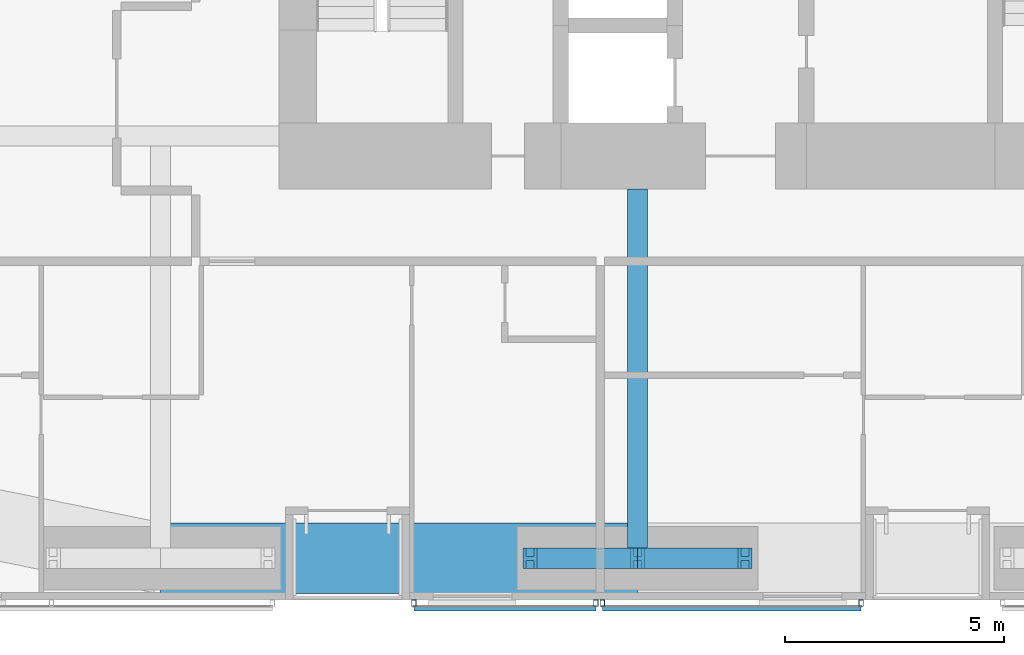
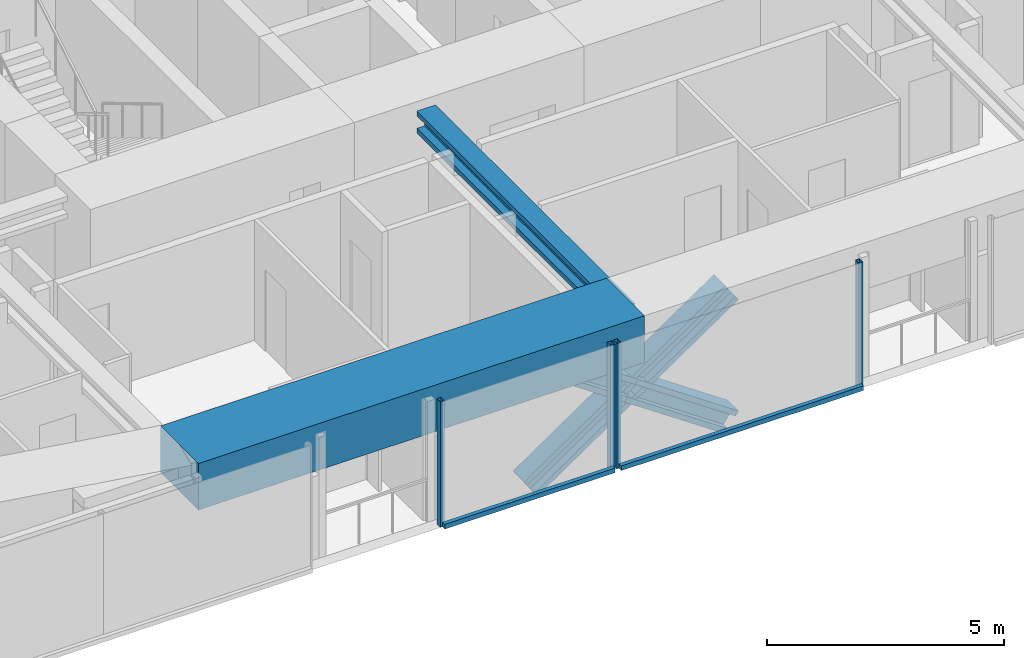
# One storey, part 4 of 24: 10 members, 2 beams, 2 elements without a shape of their own.
"""IFC4 building model written with IfcOpenShell, lengths in metres."""

from ifc_helpers import new_model, si_unit, direction, frame, origin, origin_2d, place, context, subcontext, project, spatial, rectangle, hollow_rectangle, i_section, extrude, material, material_profile, profile_set, type_object, element, aggregate, save


model = new_model("IFC4")

# Units and contexts
model_context = context("Model", 3, precision=1e-05, world=origin(), true_north=direction((0.0, 1.0)))
body_context = subcontext(model_context, "Body", "Model", "MODEL_VIEW")
ifc_project = project(units=[si_unit("LENGTHUNIT", "METRE"), si_unit("AREAUNIT", "SQUARE_METRE"), si_unit("VOLUMEUNIT", "CUBIC_METRE"), si_unit("PLANEANGLEUNIT", "RADIAN"), si_unit("MASSUNIT", "GRAM", prefix="KILO")], contexts=[model_context])

# Site, building, storey
site_placement = place(None, origin())
site = spatial("IfcSite", under=ifc_project, at=site_placement, CompositionType="ELEMENT")
building_placement = place(site_placement, origin())
building = spatial("IfcBuilding", under=site, at=building_placement, Name="Jalousie Tower", CompositionType="ELEMENT")
storey_placement = place(building_placement, frame((0.0, 0.0, 128.300048828125)))
storey = spatial("IfcBuildingStorey", under=building, at=storey_placement, Name="L35", CompositionType="ELEMENT", Elevation=128.300048828125)

# Beam
ifc_material_1 = material(Name="Steel ASTM A992 Grade 50", Category="steel")
ifc_material_profile_1 = material_profile(ifc_material_1, i_section(OverallWidth=0.45458984375, OverallDepth=0.569091796875, WebThickness=0.077880859375, FlangeThickness=0.124755859375, at=origin_2d()), Name="W14X730")
ifc_profile_set_1 = profile_set([ifc_material_profile_1], Name="Steel ASTM A992 Grade 50")
beam_type_1 = type_object("IfcBeamType", Name="LEAN COLLECTOR W14X730", PredefinedType="BEAM", material=ifc_profile_set_1)
beam_1_placement = place(storey_placement, frame((27.75, 0.949951171875, 2.825439453125), z_axis=(0.0, 1.0, 0.0), x_axis=(-1.0, 0.0, 0.0)))
element("IfcBeam", 1, at=beam_1_placement, inside=storey, type_object=beam_type_1, Name="Lean collector under L36", PredefinedType="BEAM", context=body_context, shape_type="SweptSolid", body=[
    extrude(i_section(OverallWidth=0.45458984375, OverallDepth=0.569091796875, WebThickness=0.077880859375, FlangeThickness=0.124755859375, at=origin_2d()), origin(), (0.0, 0.0, 1.0), 8.425048828125),
])

# Members
ifc_material_2 = material(Name="Steel ASTM A992 Grade 50", Category="steel")
ifc_material_profile_2 = material_profile(ifc_material_2, i_section(OverallWidth=0.472412109375, OverallDepth=0.5791015625, WebThickness=0.094970703125, FlangeThickness=0.1298828125, at=origin_2d()), Name="W14X808")
ifc_profile_set_2 = profile_set([ifc_material_profile_2], Name="Steel ASTM A992 Grade 50")
member_type_1 = type_object("IfcMemberType", Name="PERIMETER BRACE W14X808", PredefinedType="BRACE", material=ifc_profile_set_2)
for number, where, z_axis, x_axis, name in (
    (2, (25.300048828125, 0.949951171875, -0.60009765625), (0.825500916831, 0.0, 0.564400776321), (0.0, 1.0, 0.0), "Perimeter brace 03 L35 part 1"),
    (3, (27.75, 0.949951171875, 1.074951171875), (0.825500916831, 0.0, 0.564400776321), (0.0, 1.0, 0.0), "Perimeter brace 03 L35 part 2"),
    (4, (30.199951171875, 0.949951171875, -0.60009765625), (-0.825500916831, 0.0, 0.564400776321), (0.0, -1.0, 0.0), "Perimeter brace 03 L35 part 3"),
    (5, (27.75, 0.949951171875, 1.074951171875), (-0.825500916831, 0.0, 0.564400776321), (0.0, -1.0, 0.0), "Perimeter brace 03 L35 part 4"),
):
    element("IfcMember", number, at=place(storey_placement, frame(where, z_axis=z_axis, x_axis=x_axis)), inside=storey, type_object=member_type_1, Name=name, PredefinedType="BRACE", context=body_context, shape_type="SweptSolid", body=[
        extrude(i_section(OverallWidth=0.472412109375, OverallDepth=0.5791015625, WebThickness=0.094970703125, FlangeThickness=0.1298828125, at=origin_2d()), origin(), (0.0, 0.0, 1.0), 2.9677734375),
    ])

# Beam
ifc_material_3 = material(Name="Concrete f'c 40 MPa", Category="concrete")
ifc_material_profile_3 = material_profile(ifc_material_3, rectangle(XDim=1.60009765625, YDim=1.199951171875, at=origin_2d()), Name="RC 1600x1200")
ifc_profile_set_3 = profile_set([ifc_material_profile_3], Name="Concrete f'c 40 MPa")
beam_type_2 = type_object("IfcBeamType", Name="RC BEAM 1600x1200", PredefinedType="BEAM", material=ifc_profile_set_3)
beam_2_placement = place(storey_placement, frame((16.875, 0.949951171875, 2.75), z_axis=(1.0, 0.0, 0.0), x_axis=(0.0, 1.0, 0.0)))
element("IfcBeam", 6, at=beam_2_placement, inside=storey, type_object=beam_type_2, Name="Edge band beam 02-03 under L36", PredefinedType="BEAM", context=body_context, shape_type="SweptSolid", body=[
    extrude(rectangle(XDim=1.60009765625, YDim=1.199951171875, at=origin_2d()), origin(), (0.0, 0.0, 1.0), 10.875),
])

# Curtain wall, members
ifc_material_4 = material(Name="Perforated aluminium sheet", Category="aluminium")
curtain_wall_type = type_object("IfcCurtainWallType", Name="SOLAR SCREEN SS-1", PredefinedType="USERDEFINED", material=ifc_material_4)
curtain_wall_1_placement = place(storey_placement, origin())
curtain_wall_1 = element("IfcCurtainWall", 7, at=curtain_wall_1_placement, inside=storey, type_object=curtain_wall_type, Name="Solar screen L35", ObjectType="SOLAR SCREEN SS-1", PredefinedType="USERDEFINED")
ifc_material_5 = material(Name="Steel ASTM A500 Grade C", Category="steel")
ifc_material_profile_4 = material_profile(ifc_material_5, hollow_rectangle(XDim=0.1015625, YDim=0.15234375, WallThickness=0.00634765625, at=origin_2d()), Name="HSS6X4X1/4")
ifc_profile_set_4 = profile_set([ifc_material_profile_4], Name="Steel ASTM A500 Grade C")
member_type_2 = type_object("IfcMemberType", Name="SOLAR SCREEN SS-1 MULLION", PredefinedType="MULLION", material=ifc_profile_set_4)
member_1_placement = place(storey_placement, frame((22.64990234375, -0.0712890625, -0.1201171875), z_axis=(0.0, 0.0, 1.0), x_axis=(1.0, 0.0, 0.0)))
member_1 = element("IfcMember", 8, at=member_1_placement, type_object=member_type_2, Name="SS1 post 1", PredefinedType="MULLION", context=body_context, shape_type="SweptSolid", body=[
    extrude(hollow_rectangle(XDim=0.1015625, YDim=0.15234375, WallThickness=0.00634765625, at=origin_2d()), origin(), (0.0, 0.0, 1.0), 3.22998046875),
])
member_2_placement = place(storey_placement, frame((26.800048828125, -0.0712890625, -0.1201171875), z_axis=(0.0, 0.0, 1.0), x_axis=(1.0, 0.0, 0.0)))
member_2 = element("IfcMember", 9, at=member_2_placement, type_object=member_type_2, Name="SS1 post 2", PredefinedType="MULLION", context=body_context, shape_type="SweptSolid", body=[
    extrude(hollow_rectangle(XDim=0.1015625, YDim=0.15234375, WallThickness=0.00634765625, at=origin_2d()), origin(), (0.0, 0.0, 1.0), 3.22998046875),
])

curtain_wall_2_placement = place(storey_placement, origin())
curtain_wall_2 = element("IfcCurtainWall", 10, at=curtain_wall_2_placement, inside=storey, type_object=curtain_wall_type, Name="Solar screen L35", ObjectType="SOLAR SCREEN SS-1", PredefinedType="USERDEFINED")
member_3_placement = place(storey_placement, frame((26.949951171875, -0.0712890625, -0.1201171875), z_axis=(0.0, 0.0, 1.0), x_axis=(1.0, 0.0, 0.0)))
member_3 = element("IfcMember", 11, at=member_3_placement, type_object=member_type_2, Name="SS1 post 1", PredefinedType="MULLION", context=body_context, shape_type="SweptSolid", body=[
    extrude(hollow_rectangle(XDim=0.1015625, YDim=0.15234375, WallThickness=0.00634765625, at=origin_2d()), origin(), (0.0, 0.0, 1.0), 3.22998046875),
])
member_4_placement = place(storey_placement, frame((32.85009765625, -0.0712890625, -0.1201171875), z_axis=(0.0, 0.0, 1.0), x_axis=(1.0, 0.0, 0.0)))
member_4 = element("IfcMember", 12, at=member_4_placement, type_object=member_type_2, Name="SS1 post 2", PredefinedType="MULLION", context=body_context, shape_type="SweptSolid", body=[
    extrude(hollow_rectangle(XDim=0.1015625, YDim=0.15234375, WallThickness=0.00634765625, at=origin_2d()), origin(), (0.0, 0.0, 1.0), 3.22998046875),
])

# Member
ifc_material_6 = material(Name="Extruded aluminium screen rail", Category="aluminium")
ifc_material_profile_5 = material_profile(ifc_material_6, rectangle(XDim=0.1015625, YDim=0.1201171875, at=origin_2d()), Name="RAIL 102x120")
ifc_profile_set_5 = profile_set([ifc_material_profile_5], Name="Extruded aluminium screen rail")
member_type_3 = type_object("IfcMemberType", Name="SOLAR SCREEN SS-1 TRANSOM", PredefinedType="USERDEFINED", material=ifc_profile_set_5)
member_5_placement = place(storey_placement, frame((22.64990234375, -0.1982421875, -0.06005859375), z_axis=(1.0, 0.0, 0.0), x_axis=(0.0, 1.0, 0.0)))
member_5 = element("IfcMember", 13, at=member_5_placement, type_object=member_type_3, Name="SS1 rail", ObjectType="TRANSOM", PredefinedType="USERDEFINED", context=body_context, shape_type="SweptSolid", body=[
    extrude(rectangle(XDim=0.1015625, YDim=0.1201171875, at=origin_2d()), origin(), (0.0, 0.0, 1.0), 4.150146484375),
])

aggregate(curtain_wall_1, [member_1, member_2, member_5])

member_6_placement = place(storey_placement, frame((26.949951171875, -0.1982421875, -0.06005859375), z_axis=(1.0, 0.0, 0.0), x_axis=(0.0, 1.0, 0.0)))
member_6 = element("IfcMember", 14, at=member_6_placement, type_object=member_type_3, Name="SS1 rail", ObjectType="TRANSOM", PredefinedType="USERDEFINED", context=body_context, shape_type="SweptSolid", body=[
    extrude(rectangle(XDim=0.1015625, YDim=0.1201171875, at=origin_2d()), origin(), (0.0, 0.0, 1.0), 5.900146484375),
])

aggregate(curtain_wall_2, [member_3, member_4, member_6])

save(model, "model.ifc")
